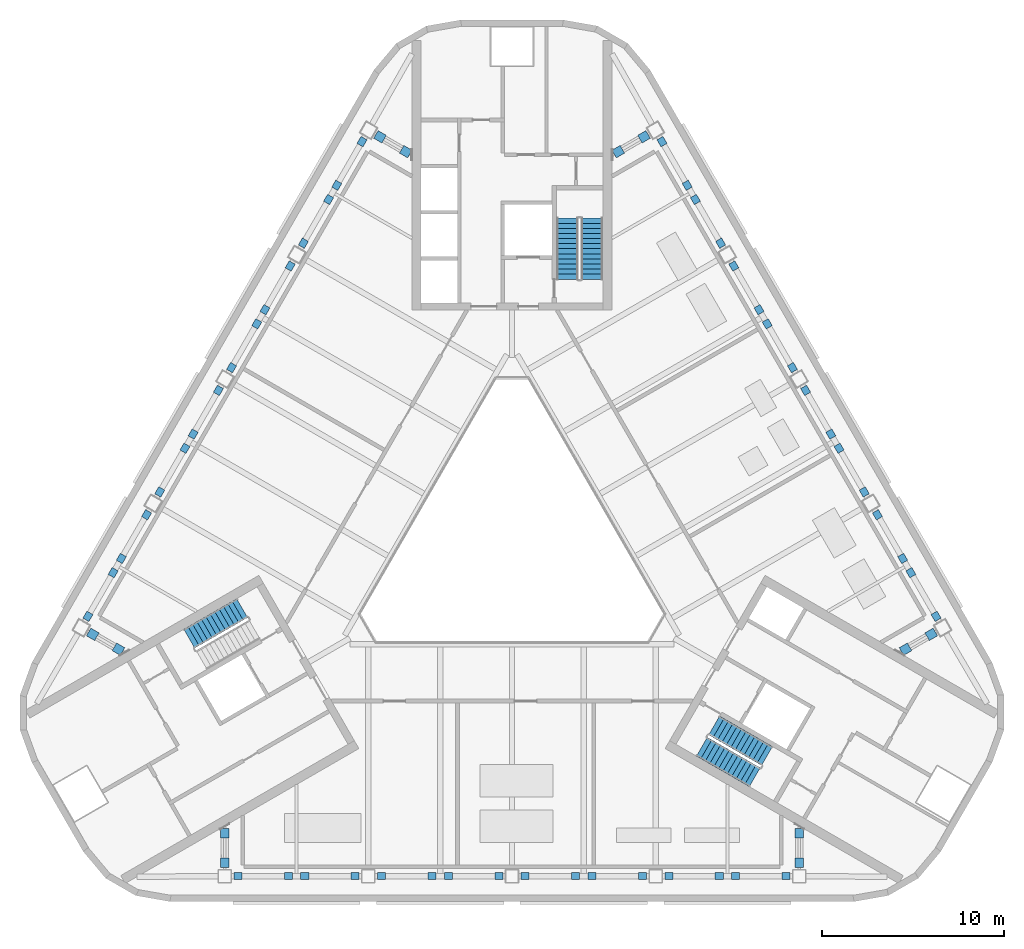
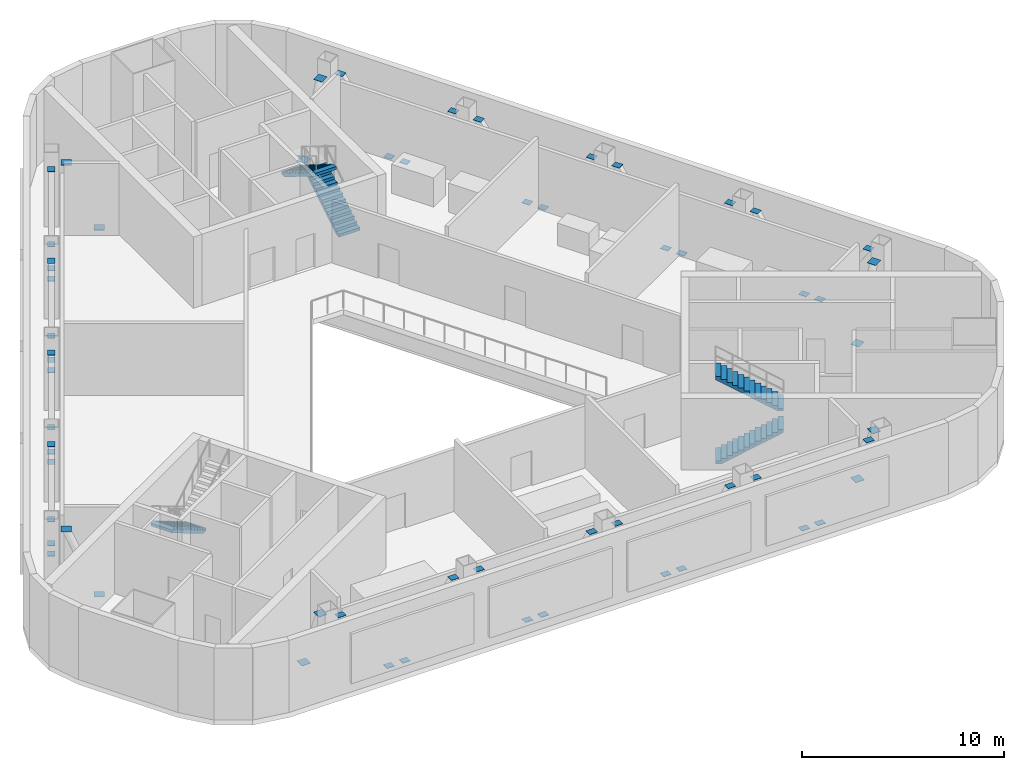
# One storey, part 9 of 14: 60 discrete accessories, 5 stair flights, 3 elements without a shape of their own.
"""IFC4 building model written with IfcOpenShell, lengths in metres."""

from ifc_helpers import new_model, si_unit, direction, frame, origin, origin_2d, place, context, subcontext, project, spatial, polyline, rectangle, outline, extrude, material, layer, layer_set, type_object, element, aggregate, save


model = new_model("IFC4")

# Units and contexts
model_context = context("Model", 3, precision=1e-05, world=origin(), true_north=direction((0.0, 1.0)))
body_context = subcontext(model_context, "Body", "Model", "MODEL_VIEW")
ifc_project = project(units=[si_unit("LENGTHUNIT", "METRE"), si_unit("AREAUNIT", "SQUARE_METRE"), si_unit("VOLUMEUNIT", "CUBIC_METRE"), si_unit("PLANEANGLEUNIT", "RADIAN"), si_unit("MASSUNIT", "GRAM", prefix="KILO")], contexts=[model_context])

# Site, building, storey
site_placement = place(None, origin())
site = spatial("IfcSite", under=ifc_project, at=site_placement, CompositionType="ELEMENT")
building_placement = place(site_placement, origin())
building = spatial("IfcBuilding", under=site, at=building_placement, Name="Apuvela Tower Hotel", CompositionType="ELEMENT")
storey_placement = place(building_placement, frame((0.0, 0.0, 242.199951171875)))
storey = spatial("IfcBuildingStorey", under=building, at=storey_placement, Name="L59 Plant", CompositionType="ELEMENT", Elevation=242.199951171875)

# Stair, stair flights
ifc_material_1 = material(Name="Concrete C50/60", Category="concrete")
stair_type = type_object("IfcStairType", Name="COR-STAIR-26R", PredefinedType="HALF_TURN_STAIR", material=ifc_material_1)
stair_1_placement = place(storey_placement, origin())
stair_1 = element("IfcStair", 1, at=stair_1_placement, inside=storey, type_object=stair_type, Name="L59 Plant Exit stair ST1", PredefinedType="HALF_TURN_STAIR")
stair_flight_type = type_object("IfcStairFlightType", Name="COR-FLIGHT-13R", PredefinedType="STRAIGHT", material=ifc_material_1)
stair_flight_1_placement = place(storey_placement, frame((4.39990234375, 14.60009765625, 0.0), z_axis=(0.0, 0.0, 1.0), x_axis=(0.0, 1.0, 0.0)))
stair_flight_1 = element("IfcStairFlight", 2, at=stair_flight_1_placement, type_object=stair_flight_type, Name="ST1 flight 1", NumberOfRisers=13, NumberOfTreads=12, PredefinedType="STRAIGHT", RiserHeight=0.173076923, TreadLength=0.28, context=body_context, shape_type="SweptSolid", body=[
    extrude(outline(polyline([(0.0, 0.0), (0.0, 0.173095703125), (0.280029296875, 0.173095703125), (0.280029296875, 0.34619140625), (0.56005859375, 0.34619140625), (0.56005859375, 0.519287109375), (0.840087890625, 0.519287109375), (0.840087890625, 0.6923828125), (1.1201171875, 0.6923828125), (1.1201171875, 0.865478515625), (1.39990234375, 0.865478515625), (1.39990234375, 1.03857421875), (1.679931640625, 1.03857421875), (1.679931640625, 1.21142578125), (1.9599609375, 1.21142578125), (1.9599609375, 1.384521484375), (2.239990234375, 1.384521484375), (2.239990234375, 1.5576171875), (2.52001953125, 1.5576171875), (2.52001953125, 1.730712890625), (2.800048828125, 1.730712890625), (2.800048828125, 1.90380859375), (3.080078125, 1.90380859375), (3.080078125, 2.076904296875), (3.360107421875, 2.076904296875), (3.360107421875, 2.25), (3.360107421875, 1.900634765625), (0.28515625, 0.0), (0.0, 0.0)])), frame((0.0, 0.60009765625, 0.0), z_axis=(0.0, -1.0, 0.0), x_axis=(1.0, 0.0, 0.0)), (0.0, 0.0, 1.0), 1.199951171875),
])
stair_flight_2_placement = place(storey_placement, frame((3.050048828125, 17.9599609375, 2.25), z_axis=(0.0, 0.0, 1.0), x_axis=(0.0, -1.0, 0.0)))
stair_flight_2 = element("IfcStairFlight", 3, at=stair_flight_2_placement, type_object=stair_flight_type, Name="ST1 flight 2", NumberOfRisers=13, NumberOfTreads=12, PredefinedType="STRAIGHT", RiserHeight=0.173076923, TreadLength=0.28, context=body_context, shape_type="SweptSolid", body=[
    extrude(outline(polyline([(0.0, 0.0), (0.0, 0.173095703125), (0.280029296875, 0.173095703125), (0.280029296875, 0.34619140625), (0.56005859375, 0.34619140625), (0.56005859375, 0.519287109375), (0.840087890625, 0.519287109375), (0.840087890625, 0.6923828125), (1.1201171875, 0.6923828125), (1.1201171875, 0.865478515625), (1.39990234375, 0.865478515625), (1.39990234375, 1.03857421875), (1.679931640625, 1.03857421875), (1.679931640625, 1.21142578125), (1.9599609375, 1.21142578125), (1.9599609375, 1.384521484375), (2.239990234375, 1.384521484375), (2.239990234375, 1.5576171875), (2.52001953125, 1.5576171875), (2.52001953125, 1.730712890625), (2.800048828125, 1.730712890625), (2.800048828125, 1.90380859375), (3.080078125, 1.90380859375), (3.080078125, 2.076904296875), (3.360107421875, 2.076904296875), (3.360107421875, 2.25), (3.360107421875, 1.900634765625), (0.28515625, 0.0), (0.0, 0.0)])), frame((0.0, 0.60009765625, 0.0), z_axis=(0.0, -1.0, 0.0), x_axis=(1.0, 0.0, 0.0)), (0.0, 0.0, 1.0), 1.199951171875),
])
aggregate(stair_1, [stair_flight_1, stair_flight_2])

# Stair, stair flight
stair_2_placement = place(storey_placement, origin())
stair_2 = element("IfcStair", 4, at=stair_2_placement, inside=storey, type_object=stair_type, Name="L59 Plant Exit stair ST2", PredefinedType="HALF_TURN_STAIR")
stair_flight_3_placement = place(storey_placement, frame((-14.843994140625, -3.489501953125, 0.0), z_axis=(0.0, 0.0, 1.0), x_axis=(-0.866025403784, -0.5, 0.0)))
stair_flight_3 = element("IfcStairFlight", 5, at=stair_flight_3_placement, type_object=stair_flight_type, Name="ST2 flight 1", NumberOfRisers=13, NumberOfTreads=12, PredefinedType="STRAIGHT", RiserHeight=0.173076923, TreadLength=0.28, context=body_context, shape_type="SweptSolid", body=[
    extrude(outline(polyline([(0.0, 0.0), (0.0, 0.173095703125), (0.280029296875, 0.173095703125), (0.280029296875, 0.34619140625), (0.56005859375, 0.34619140625), (0.56005859375, 0.519287109375), (0.840087890625, 0.519287109375), (0.840087890625, 0.6923828125), (1.1201171875, 0.6923828125), (1.1201171875, 0.865478515625), (1.39990234375, 0.865478515625), (1.39990234375, 1.03857421875), (1.679931640625, 1.03857421875), (1.679931640625, 1.21142578125), (1.9599609375, 1.21142578125), (1.9599609375, 1.384521484375), (2.239990234375, 1.384521484375), (2.239990234375, 1.5576171875), (2.52001953125, 1.5576171875), (2.52001953125, 1.730712890625), (2.800048828125, 1.730712890625), (2.800048828125, 1.90380859375), (3.080078125, 1.90380859375), (3.080078125, 2.076904296875), (3.360107421875, 2.076904296875), (3.360107421875, 2.25), (3.360107421875, 1.900634765625), (0.28515625, 0.0), (0.0, 0.0)])), frame((0.0, 0.60009765625, 0.0), z_axis=(0.0, -1.0, 0.0), x_axis=(1.0, 0.0, 0.0)), (0.0, 0.0, 1.0), 1.199951171875),
])
aggregate(stair_2, [stair_flight_3])

# Stair, stair flights
stair_3_placement = place(storey_placement, origin())
stair_3 = element("IfcStair", 6, at=stair_3_placement, inside=storey, type_object=stair_type, Name="L59 Plant Exit stair ST3", PredefinedType="HALF_TURN_STAIR")
stair_flight_4_placement = place(storey_placement, frame((10.444091796875, -11.110595703125, 0.0), z_axis=(0.0, 0.0, 1.0), x_axis=(0.866025403784, -0.5, 0.0)))
stair_flight_4 = element("IfcStairFlight", 7, at=stair_flight_4_placement, type_object=stair_flight_type, Name="ST3 flight 1", NumberOfRisers=13, NumberOfTreads=12, PredefinedType="STRAIGHT", RiserHeight=0.173076923, TreadLength=0.28, context=body_context, shape_type="SweptSolid", body=[
    extrude(outline(polyline([(0.0, 0.0), (0.0, 0.173095703125), (0.280029296875, 0.173095703125), (0.280029296875, 0.34619140625), (0.56005859375, 0.34619140625), (0.56005859375, 0.519287109375), (0.840087890625, 0.519287109375), (0.840087890625, 0.6923828125), (1.1201171875, 0.6923828125), (1.1201171875, 0.865478515625), (1.39990234375, 0.865478515625), (1.39990234375, 1.03857421875), (1.679931640625, 1.03857421875), (1.679931640625, 1.21142578125), (1.9599609375, 1.21142578125), (1.9599609375, 1.384521484375), (2.239990234375, 1.384521484375), (2.239990234375, 1.5576171875), (2.52001953125, 1.5576171875), (2.52001953125, 1.730712890625), (2.800048828125, 1.730712890625), (2.800048828125, 1.90380859375), (3.080078125, 1.90380859375), (3.080078125, 2.076904296875), (3.360107421875, 2.076904296875), (3.360107421875, 2.25), (3.360107421875, 1.900634765625), (0.28515625, 0.0), (0.0, 0.0)])), frame((0.0, 0.60009765625, 0.0), z_axis=(0.0, -1.0, 0.0), x_axis=(1.0, 0.0, 0.0)), (0.0, 0.0, 1.0), 1.199951171875),
])
stair_flight_5_placement = place(storey_placement, frame((14.02880859375, -11.621337890625, 2.25), z_axis=(0.0, 0.0, 1.0), x_axis=(-0.866025403784, 0.5, 0.0)))
stair_flight_5 = element("IfcStairFlight", 8, at=stair_flight_5_placement, type_object=stair_flight_type, Name="ST3 flight 2", NumberOfRisers=13, NumberOfTreads=12, PredefinedType="STRAIGHT", RiserHeight=0.173076923, TreadLength=0.28, context=body_context, shape_type="SweptSolid", body=[
    extrude(outline(polyline([(0.0, 0.0), (0.0, 0.173095703125), (0.280029296875, 0.173095703125), (0.280029296875, 0.34619140625), (0.56005859375, 0.34619140625), (0.56005859375, 0.519287109375), (0.840087890625, 0.519287109375), (0.840087890625, 0.6923828125), (1.1201171875, 0.6923828125), (1.1201171875, 0.865478515625), (1.39990234375, 0.865478515625), (1.39990234375, 1.03857421875), (1.679931640625, 1.03857421875), (1.679931640625, 1.21142578125), (1.9599609375, 1.21142578125), (1.9599609375, 1.384521484375), (2.239990234375, 1.384521484375), (2.239990234375, 1.5576171875), (2.52001953125, 1.5576171875), (2.52001953125, 1.730712890625), (2.800048828125, 1.730712890625), (2.800048828125, 1.90380859375), (3.080078125, 1.90380859375), (3.080078125, 2.076904296875), (3.360107421875, 2.076904296875), (3.360107421875, 2.25), (3.360107421875, 1.900634765625), (0.28515625, 0.0), (0.0, 0.0)])), frame((0.0, 0.60009765625, 0.0), z_axis=(0.0, -1.0, 0.0), x_axis=(1.0, 0.0, 0.0)), (0.0, 0.0, 1.0), 1.199951171875),
])
aggregate(stair_3, [stair_flight_4, stair_flight_5])

# Discrete accessories
ifc_material_2 = material(Name="Steel S355", Category="steel")
ifc_layer = layer(ifc_material_2, 0.02001953125)
ifc_layer_set = layer_set([ifc_layer], Name="STR-EP end plate 20")
discrete_accessory_type = type_object("IfcDiscreteAccessoryType", Name="STR-EP end plate 20", PredefinedType="BRACKET", material=ifc_layer_set)
for number, where, z_axis, x_axis, name in (
    (9, (-12.300048828125, -18.22998046875, -0.300048828125), (0.0, 0.0, 1.0), (-1.0, 0.0, 0.0), "End plate EP BR3 S1"),
    (10, (-15.074951171875, -18.22998046875, 3.72998046875), (0.0, 0.0, 1.0), (-1.0, 0.0, 0.0), "End plate EP BR3 S1"),
    (11, (-11.39990234375, -18.22998046875, -0.300048828125), (0.0, 0.0, 1.0), (1.0, 0.0, 0.0), "End plate EP BR3 S1"),
    (12, (-8.625, -18.22998046875, 3.72998046875), (0.0, 0.0, 1.0), (1.0, 0.0, 0.0), "End plate EP BR3 S1"),
    (13, (-4.39990234375, -18.22998046875, -0.300048828125), (0.0, 0.0, 1.0), (-1.0, 0.0, 0.0), "End plate EP BR3 S2"),
    (14, (-7.175048828125, -18.22998046875, 3.72998046875), (0.0, 0.0, 1.0), (-1.0, 0.0, 0.0), "End plate EP BR3 S2"),
    (15, (-3.5, -18.22998046875, -0.300048828125), (0.0, 0.0, 1.0), (1.0, 0.0, 0.0), "End plate EP BR3 S2"),
    (16, (-0.72509765625, -18.22998046875, 3.72998046875), (0.0, 0.0, 1.0), (1.0, 0.0, 0.0), "End plate EP BR3 S2"),
    (17, (3.5, -18.22998046875, -0.300048828125), (0.0, 0.0, 1.0), (-1.0, 0.0, 0.0), "End plate EP BR3 S3"),
    (18, (0.72509765625, -18.22998046875, 3.72998046875), (0.0, 0.0, 1.0), (-1.0, 0.0, 0.0), "End plate EP BR3 S3"),
    (19, (4.39990234375, -18.22998046875, -0.300048828125), (0.0, 0.0, 1.0), (1.0, 0.0, 0.0), "End plate EP BR3 S3"),
    (20, (7.175048828125, -18.22998046875, 3.72998046875), (0.0, 0.0, 1.0), (1.0, 0.0, 0.0), "End plate EP BR3 S3"),
    (21, (11.39990234375, -18.22998046875, -0.300048828125), (0.0, 0.0, 1.0), (-1.0, 0.0, 0.0), "End plate EP BR3 S4"),
    (22, (8.625, -18.22998046875, 3.72998046875), (0.0, 0.0, 1.0), (-1.0, 0.0, 0.0), "End plate EP BR3 S4"),
    (23, (12.300048828125, -18.22998046875, -0.300048828125), (0.0, 0.0, 1.0), (1.0, 0.0, 0.0), "End plate EP BR3 S4"),
    (24, (15.074951171875, -18.22998046875, 3.72998046875), (0.0, 0.0, 1.0), (1.0, 0.0, 0.0), "End plate EP BR3 S4"),
    (25, (21.9375, -1.537109375, -0.300048828125), (0.0, 0.0, 1.0), (0.5, -0.866025403784, 0.0), "End plate EP BR3 NE1"),
    (26, (23.3251953125, -3.940185546875, 3.72998046875), (0.0, 0.0, 1.0), (0.5, -0.866025403784, 0.0), "End plate EP BR3 NE1"),
    (27, (21.487548828125, -0.7578125, -0.300048828125), (0.0, 0.0, 1.0), (-0.5, 0.866025403784, 0.0), "End plate EP BR3 NE1"),
    (28, (20.10009765625, 1.6455078125, 3.72998046875), (0.0, 0.0, 1.0), (-0.5, 0.866025403784, 0.0), "End plate EP BR3 NE1"),
    (29, (17.987548828125, 5.304443359375, -0.300048828125), (0.0, 0.0, 1.0), (0.5, -0.866025403784, 0.0), "End plate EP BR3 NE2"),
    (30, (19.375, 2.9013671875, 3.72998046875), (0.0, 0.0, 1.0), (0.5, -0.866025403784, 0.0), "End plate EP BR3 NE2"),
    (31, (17.53759765625, 6.083984375, -0.300048828125), (0.0, 0.0, 1.0), (-0.5, 0.866025403784, 0.0), "End plate EP BR3 NE2"),
    (32, (16.150146484375, 8.487060546875, 3.72998046875), (0.0, 0.0, 1.0), (-0.5, 0.866025403784, 0.0), "End plate EP BR3 NE2"),
    (33, (14.03759765625, 12.14599609375, -0.300048828125), (0.0, 0.0, 1.0), (0.5, -0.866025403784, 0.0), "End plate EP BR3 NE3"),
    (34, (15.425048828125, 9.742919921875, 3.72998046875), (0.0, 0.0, 1.0), (0.5, -0.866025403784, 0.0), "End plate EP BR3 NE3"),
    (35, (13.587646484375, 12.925537109375, -0.300048828125), (0.0, 0.0, 1.0), (-0.5, 0.866025403784, 0.0), "End plate EP BR3 NE3"),
    (36, (12.2001953125, 15.32861328125, 3.72998046875), (0.0, 0.0, 1.0), (-0.5, 0.866025403784, 0.0), "End plate EP BR3 NE3"),
    (37, (10.087646484375, 18.98779296875, -0.300048828125), (0.0, 0.0, 1.0), (0.5, -0.866025403784, 0.0), "End plate EP BR3 NE4"),
    (38, (11.47509765625, 16.58447265625, 3.72998046875), (0.0, 0.0, 1.0), (0.5, -0.866025403784, 0.0), "End plate EP BR3 NE4"),
    (39, (9.6376953125, 19.76708984375, -0.300048828125), (0.0, 0.0, 1.0), (-0.5, 0.866025403784, 0.0), "End plate EP BR3 NE4"),
    (40, (8.25, 22.17041015625, 3.72998046875), (0.0, 0.0, 1.0), (-0.5, 0.866025403784, 0.0), "End plate EP BR3 NE4"),
    (41, (-9.6376953125, 19.76708984375, -0.300048828125), (0.0, 0.0, 1.0), (0.5, 0.866025403784, 0.0), "End plate EP BR3 NW1"),
    (42, (-8.25, 22.17041015625, 3.72998046875), (0.0, 0.0, 1.0), (0.5, 0.866025403784, 0.0), "End plate EP BR3 NW1"),
    (43, (-10.087646484375, 18.98779296875, -0.300048828125), (0.0, 0.0, 1.0), (-0.5, -0.866025403784, 0.0), "End plate EP BR3 NW1"),
    (44, (-11.47509765625, 16.58447265625, 3.72998046875), (0.0, 0.0, 1.0), (-0.5, -0.866025403784, 0.0), "End plate EP BR3 NW1"),
    (45, (-13.587646484375, 12.925537109375, -0.300048828125), (0.0, 0.0, 1.0), (0.5, 0.866025403784, 0.0), "End plate EP BR3 NW2"),
    (46, (-12.2001953125, 15.32861328125, 3.72998046875), (0.0, 0.0, 1.0), (0.5, 0.866025403784, 0.0), "End plate EP BR3 NW2"),
    (47, (-14.03759765625, 12.14599609375, -0.300048828125), (0.0, 0.0, 1.0), (-0.5, -0.866025403784, 0.0), "End plate EP BR3 NW2"),
    (48, (-15.425048828125, 9.742919921875, 3.72998046875), (0.0, 0.0, 1.0), (-0.5, -0.866025403784, 0.0), "End plate EP BR3 NW2"),
    (49, (-17.53759765625, 6.083984375, -0.300048828125), (0.0, 0.0, 1.0), (0.5, 0.866025403784, 0.0), "End plate EP BR3 NW3"),
    (50, (-16.150146484375, 8.487060546875, 3.72998046875), (0.0, 0.0, 1.0), (0.5, 0.866025403784, 0.0), "End plate EP BR3 NW3"),
    (51, (-17.987548828125, 5.304443359375, -0.300048828125), (0.0, 0.0, 1.0), (-0.5, -0.866025403784, 0.0), "End plate EP BR3 NW3"),
    (52, (-19.375, 2.9013671875, 3.72998046875), (0.0, 0.0, 1.0), (-0.5, -0.866025403784, 0.0), "End plate EP BR3 NW3"),
    (53, (-21.487548828125, -0.7578125, -0.300048828125), (0.0, 0.0, 1.0), (0.5, 0.866025403784, 0.0), "End plate EP BR3 NW4"),
    (54, (-20.10009765625, 1.6455078125, 3.72998046875), (0.0, 0.0, 1.0), (0.5, 0.866025403784, 0.0), "End plate EP BR3 NW4"),
    (55, (-21.9375, -1.537109375, -0.300048828125), (0.0, 0.0, 1.0), (-0.5, -0.866025403784, 0.0), "End plate EP BR3 NW4"),
    (56, (-23.3251953125, -3.940185546875, 3.72998046875), (0.0, 0.0, 1.0), (-0.5, -0.866025403784, 0.0), "End plate EP BR3 NW4"),
):
    element("IfcDiscreteAccessory", number, at=place(storey_placement, frame(where, z_axis=z_axis, x_axis=x_axis)), inside=storey, type_object=discrete_accessory_type, Name=name, PredefinedType="BRACKET", context=body_context, shape_type="SweptSolid", body=[
        extrude(rectangle(XDim=0.443603515625, YDim=0.3798828125, at=origin_2d()), origin(), (0.0, 0.0, 1.0), 0.02001953125),
    ])
for number, where, z_axis, x_axis, name in (
    (57, (21.64306640625, -5.74853515625, -0.300048828125), (0.0, 0.0, 1.0), (0.866025403784, 0.5, 0.0), "End plate EP OD3 NE1"),
    (58, (23.059814453125, -4.9306640625, 3.630126953125), (0.0, 0.0, 1.0), (0.866025403784, 0.5, 0.0), "End plate EP OD3 NE1"),
    (59, (5.843017578125, 21.617919921875, -0.300048828125), (0.0, 0.0, 1.0), (0.866025403784, 0.5, 0.0), "End plate EP OD3 NE5"),
    (60, (7.259765625, 22.435791015625, 3.630126953125), (0.0, 0.0, 1.0), (0.866025403784, 0.5, 0.0), "End plate EP OD3 NE5"),
    (61, (-5.843017578125, 21.617919921875, -0.300048828125), (0.0, 0.0, 1.0), (-0.866025403784, 0.5, 0.0), "End plate EP OD3 NW1"),
    (62, (-7.259765625, 22.435791015625, 3.630126953125), (0.0, 0.0, 1.0), (-0.866025403784, 0.5, 0.0), "End plate EP OD3 NW1"),
    (63, (-21.64306640625, -5.74853515625, -0.300048828125), (0.0, 0.0, 1.0), (-0.866025403784, 0.5, 0.0), "End plate EP OD3 NW5"),
    (64, (-23.059814453125, -4.9306640625, 3.630126953125), (0.0, 0.0, 1.0), (-0.866025403784, 0.5, 0.0), "End plate EP OD3 NW5"),
    (65, (-15.800048828125, -15.869140625, -0.300048828125), (0.0, 0.0, 1.0), (0.0, -1.0, 0.0), "End plate EP OD3 S1"),
    (66, (-15.800048828125, -17.5048828125, 3.630126953125), (0.0, 0.0, 1.0), (0.0, -1.0, 0.0), "End plate EP OD3 S1"),
    (67, (15.800048828125, -15.869140625, -0.300048828125), (0.0, 0.0, 1.0), (0.0, -1.0, 0.0), "End plate EP OD3 S5"),
    (68, (15.800048828125, -17.5048828125, 3.630126953125), (0.0, 0.0, 1.0), (0.0, -1.0, 0.0), "End plate EP OD3 S5"),
):
    element("IfcDiscreteAccessory", number, at=place(storey_placement, frame(where, z_axis=z_axis, x_axis=x_axis)), inside=storey, type_object=discrete_accessory_type, Name=name, PredefinedType="BRACKET", context=body_context, shape_type="SweptSolid", body=[
        extrude(rectangle(XDim=0.52001953125, YDim=0.486328125, at=origin_2d()), origin(), (0.0, 0.0, 1.0), 0.02001953125),
    ])

save(model, "model.ifc")
